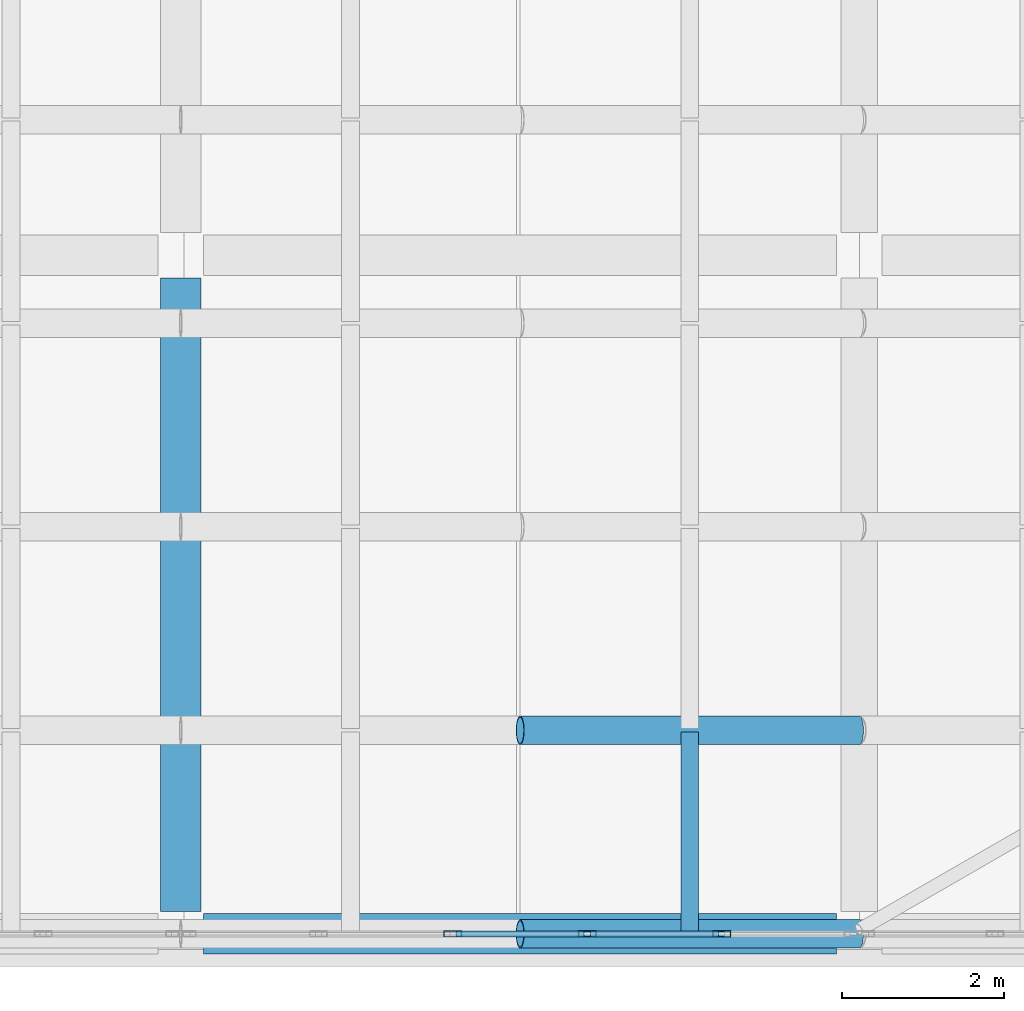
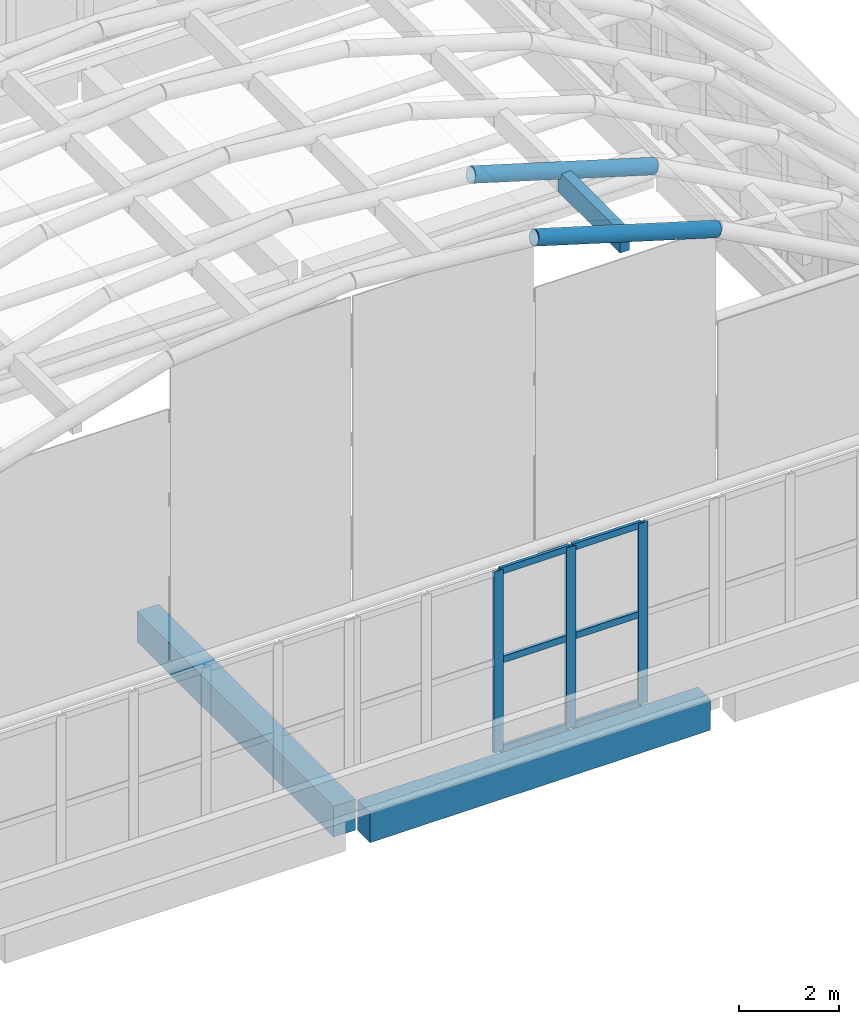
# One storey, part 9 of 26: 10 members, 4 beams, 1 element without a shape of its own.
"""IFC4 building model written with IfcOpenShell, lengths in metres."""

import ifcopenshell
import ifcopenshell.guid

model = None  # the IFC model being written
_history = None  # IfcOwnerHistory: only IFC2X3 demands one
_inside = {}  # id of a spatial element -> (the spatial element, [elements in it])
_under = {}  # id of a project, library or spatial element -> (it, [spatial elements below it])
_declared = {}  # id of a project -> (the project, [libraries it declares])
_typed = {}  # id of a type object -> (the type object, [elements of that type])
_made_of = {}  # id of a material, layer set ... -> (it, [elements and type objects made of it])


def new_model(schema):
    """Start an empty IFC model of exactly this schema.

    Asked for "IFC4X3", IfcOpenShell would pick the latest addendum, in which some entities
    have other attributes; the version numbers below select the first issue.
    IFC2X3 requires an IfcOwnerHistory on every rooted entity: one is made here for all.
    """
    global model, _history
    if schema == "IFC4X3":
        model = ifcopenshell.file(schema_version=(4, 3, 0, 0))
    else:
        model = ifcopenshell.file(schema=schema)
    _inside.clear()
    _under.clear()
    _declared.clear()
    _typed.clear()
    _made_of.clear()
    _history = None
    if model.schema == "IFC2X3":
        org = make("IfcOrganization", Name="unknown")
        user = make(
            "IfcPersonAndOrganization",
            ThePerson=make("IfcPerson", FamilyName="unknown"),
            TheOrganization=org,
        )
        app = make(
            "IfcApplication",
            ApplicationDeveloper=org,
            Version="unknown",
            ApplicationFullName="unknown",
            ApplicationIdentifier="unknown",
        )
        _history = make(
            "IfcOwnerHistory",
            OwningUser=user,
            OwningApplication=app,
            ChangeAction="ADDED",
            CreationDate=0,
        )
    return model


def make(cls, **values):
    """One entity of the class cls with the attributes given. An attribute that is None is left unset."""
    return model.create_entity(
        cls, **{name: value for name, value in values.items() if value is not None}
    )


def rooted(cls, **values):
    """An entity with a GlobalId (a new one), such as an element, a storey or a relation."""
    return make(cls, GlobalId=ifcopenshell.guid.new(), OwnerHistory=_history, **values)


def si_unit(unit_type, name, prefix=None):
    """IfcSIUnit, for example si_unit("LENGTHUNIT", "METRE", prefix="MILLI")."""
    return make("IfcSIUnit", UnitType=unit_type, Prefix=prefix, Name=name)


def assignment(units):
    """IfcUnitAssignment: the units of a project."""
    return None if units is None else make("IfcUnitAssignment", Units=units)


def point(xyz):
    """IfcCartesianPoint."""
    return None if xyz is None else make("IfcCartesianPoint", Coordinates=xyz)


def direction(xyz):
    """IfcDirection."""
    return None if xyz is None else make("IfcDirection", DirectionRatios=xyz)


def frame(location, z_axis=None, x_axis=None):
    """IfcAxis2Placement3D, a coordinate frame: its origin and axes. An axis left out is left unset."""
    return make(
        "IfcAxis2Placement3D",
        Location=point(location),
        Axis=direction(z_axis),
        RefDirection=direction(x_axis),
    )


def frame_2d(location, x_axis=None):
    """IfcAxis2Placement2D, a coordinate frame in the plane: its origin and x axis."""
    return make(
        "IfcAxis2Placement2D", Location=point(location), RefDirection=direction(x_axis)
    )


def origin():
    """The frame at (0, 0, 0) with its axes left unset."""
    return frame((0.0, 0.0, 0.0))


def origin_2d():
    """The frame at (0, 0) in the plane with its x axis left unset."""
    return frame_2d((0.0, 0.0))


def place(relative_to, where):
    """IfcLocalPlacement: puts the frame where relative to a parent placement (None: the world)."""
    return make(
        "IfcLocalPlacement", PlacementRelTo=relative_to, RelativePlacement=where
    )


def context(
    kind, dimensions, precision=None, world=None, true_north=None, identifier=None
):
    """IfcGeometricRepresentationContext, for example the 3D "Model" context."""
    return make(
        "IfcGeometricRepresentationContext",
        ContextIdentifier=identifier,
        ContextType=kind,
        CoordinateSpaceDimension=dimensions,
        Precision=precision,
        WorldCoordinateSystem=world,
        TrueNorth=true_north,
    )


def subcontext(parent, identifier, kind, view, scale=None):
    """IfcGeometricRepresentationSubContext, for example "Body" below "Model"."""
    return make(
        "IfcGeometricRepresentationSubContext",
        ContextIdentifier=identifier,
        ContextType=kind,
        ParentContext=parent,
        TargetScale=scale,
        TargetView=view,
    )


def project(units=None, contexts=None):
    """IfcProject with its units and contexts."""
    return rooted(
        "IfcProject",
        Name="project",
        RepresentationContexts=contexts,
        UnitsInContext=assignment(units),
    )


def spatial(cls, under=None, at=None, **own):
    """A site, building, storey or space (cls), placed at a placement, below another one or the project."""
    s = rooted(cls, ObjectPlacement=at, **own)
    if under is not None:
        _under.setdefault(under.id(), (under, []))[1].append(s)
    return s


def profile(cls, at=None, kind="AREA", **sizes):
    """A parametric profile (cls). Its sizes go by their IFC names, for example OverallWidth=200.0."""
    return make(cls, ProfileType=kind, Position=at, **sizes)


def rectangle(**sizes):
    """IfcRectangleProfileDef."""
    return profile("IfcRectangleProfileDef", **sizes)


def hollow_rectangle(**sizes):
    """IfcRectangleHollowProfileDef."""
    return profile("IfcRectangleHollowProfileDef", **sizes)


def hollow_circle(**sizes):
    """IfcCircleHollowProfileDef."""
    return profile("IfcCircleHollowProfileDef", **sizes)


def extrude(swept, where, along, depth):
    """IfcExtrudedAreaSolid: the profile swept, set in the frame where, extruded along a direction by depth."""
    return make(
        "IfcExtrudedAreaSolid",
        SweptArea=swept,
        Position=where,
        ExtrudedDirection=direction(along),
        Depth=depth,
    )


def shape(context_of_items, identifier, shape_type, items):
    """IfcShapeRepresentation: the items that make up one representation, for example the "Body"."""
    return make(
        "IfcShapeRepresentation",
        ContextOfItems=context_of_items,
        RepresentationIdentifier=identifier,
        RepresentationType=shape_type,
        Items=items,
    )


def material(Name=None, Category=None):
    """IfcMaterial."""
    return make("IfcMaterial", Name=Name, Category=Category)


def layer(
    of_material, thickness, ventilated=None, Name=None, Category=None, Priority=None
):
    """IfcMaterialLayer: one layer of a wall or slab, of a material (None: an air gap)."""
    return make(
        "IfcMaterialLayer",
        Material=of_material,
        LayerThickness=thickness,
        IsVentilated=ventilated,
        Name=Name,
        Category=Category,
        Priority=Priority,
    )


def layer_set(layers, Name=None):
    """IfcMaterialLayerSet."""
    return make("IfcMaterialLayerSet", MaterialLayers=layers, LayerSetName=Name)


def material_profile(
    of_material, cross_section, Name=None, Category=None, Priority=None
):
    """IfcMaterialProfile: a cross section and its material."""
    return make(
        "IfcMaterialProfile",
        Name=Name,
        Material=of_material,
        Profile=cross_section,
        Priority=Priority,
        Category=Category,
    )


def profile_set(profiles, Name=None, composite=None):
    """IfcMaterialProfileSet."""
    return make(
        "IfcMaterialProfileSet",
        Name=Name,
        MaterialProfiles=profiles,
        CompositeProfile=composite,
    )


def made_of(thing, what):
    """Note that an element or type object is made of a material, layer set ...; save() writes the relation."""
    if what is not None:
        _made_of.setdefault(what.id(), (what, []))[1].append(thing)
    return thing


def type_object(cls, material=None, **own):
    """A type object (cls), such as IfcWallType, which elements share."""
    return made_of(rooted(cls, **own), material)


def element(
    cls,
    number,
    at=None,
    inside=None,
    cuts=None,
    type_object=None,
    material=None,
    context=None,
    identifier="Body",
    shape_type=None,
    held_by="IfcProductDefinitionShape",
    body=None,
    shapes=None,
    **own,
):
    """One element of the class cls, such as IfcWall. Its Tag is "e" and its number.

    at: its placement. inside: the storey or other place that contains it. cuts: it is an
    opening in that element (IfcRelVoidsElement). A single representation is given by context,
    identifier, shape_type and body (its items); several are given by shapes. held_by: the class
    of the entity that holds the representations. save() writes the other relations.
    """
    e = rooted(cls, Tag="e%d" % number, ObjectPlacement=at, **own)
    if body is not None:
        shapes = [shape(context, identifier, shape_type, body)]
    if shapes is not None:
        e.Representation = make(held_by, Representations=shapes)
    if inside is not None:
        _inside.setdefault(inside.id(), (inside, []))[1].append(e)
    if cuts is not None:
        rooted(
            "IfcRelVoidsElement", RelatingBuildingElement=cuts, RelatedOpeningElement=e
        )
    if type_object is not None:
        _typed.setdefault(type_object.id(), (type_object, []))[1].append(e)
    return made_of(e, material)


def aggregate(whole, parts):
    """IfcRelAggregates: a whole, such as a stair, and the parts it consists of."""
    return rooted("IfcRelAggregates", RelatingObject=whole, RelatedObjects=parts)


def save(model, path):
    """Write the relations noted so far, then the file.

    IfcRelAggregates (storeys below a building ...), IfcRelContainedInSpatialStructure (elements
    in a storey), IfcRelDefinesByType, IfcRelAssociatesMaterial and IfcRelDeclares: one each for
    every whole, place, type object, material and project.
    """
    for whole, parts in _under.values():
        aggregate(whole, parts)
    for where, things in _inside.values():
        rooted(
            "IfcRelContainedInSpatialStructure",
            RelatedElements=things,
            RelatingStructure=where,
        )
    for kind, things in _typed.values():
        rooted("IfcRelDefinesByType", RelatedObjects=things, RelatingType=kind)
    for what, things in _made_of.values():
        rooted("IfcRelAssociatesMaterial", RelatedObjects=things, RelatingMaterial=what)
    for by, libraries in _declared.values():
        rooted("IfcRelDeclares", RelatingContext=by, RelatedDefinitions=libraries)
    model.write(path)


model = new_model("IFC4")

# Units and contexts
model_context = context("Model", 3, precision=1e-05, world=origin(), true_north=direction((0.0, 1.0)))
body_context = subcontext(model_context, "Body", "Model", "MODEL_VIEW")
ifc_project = project(units=[si_unit("LENGTHUNIT", "METRE"), si_unit("AREAUNIT", "SQUARE_METRE"), si_unit("VOLUMEUNIT", "CUBIC_METRE"), si_unit("PLANEANGLEUNIT", "RADIAN"), si_unit("MASSUNIT", "GRAM", prefix="KILO")], contexts=[model_context])

# Site, building, storey
site_placement = place(None, origin())
site = spatial("IfcSite", under=ifc_project, at=site_placement, CompositionType="ELEMENT")
building_placement = place(site_placement, origin())
building = spatial("IfcBuilding", under=site, at=building_placement, Name="Xazarin Passage Department Store", CompositionType="ELEMENT")
storey_placement = place(building_placement, frame((0.0, 0.0, 36.89990234375)))
storey = spatial("IfcBuildingStorey", under=building, at=storey_placement, Name="RF", CompositionType="ELEMENT", Elevation=36.89990234375)

# Curtain wall, members
ifc_material_1 = material(Name="Bronze anodised aluminium", Category="aluminium")
ifc_layer = layer(ifc_material_1, 0.199951171875)
ifc_layer_set = layer_set([ifc_layer], Name="Bronze anodised aluminium")
curtain_wall_type = type_object("IfcCurtainWallType", Name="ARC-CW-VIT2", PredefinedType="NOTDEFINED", material=ifc_layer_set)
curtain_wall_placement = place(storey_placement, origin())
curtain_wall = element("IfcCurtainWall", 1, at=curtain_wall_placement, inside=storey, type_object=curtain_wall_type, Name="RF V1 Atrium Lantern Curtain Wall 11", PredefinedType="NOTDEFINED")
ifc_material_profile_1 = material_profile(ifc_material_1, hollow_rectangle(XDim=0.074951171875, YDim=0.219970703125, WallThickness=0.0048828125, at=origin_2d()), Name="ALU 75x220")
ifc_profile_set_1 = profile_set([ifc_material_profile_1], Name="Bronze anodised aluminium")
member_type_1 = type_object("IfcMemberType", Name="ARC-CWM-75x220", PredefinedType="MULLION", material=ifc_profile_set_1)
member_1_placement = place(storey_placement, frame((20.16796875, 76.39990234375, 0.0), z_axis=(0.0, 0.0, 1.0), x_axis=(0.0, 1.0, 0.0)))
member_1 = element("IfcMember", 2, at=member_1_placement, type_object=member_type_1, Name="CW2 mullion 3", PredefinedType="MULLION", context=body_context, shape_type="SweptSolid", body=[
    extrude(hollow_rectangle(XDim=0.074951171875, YDim=0.219970703125, WallThickness=0.0048828125, at=origin_2d()), origin(), (0.0, 0.0, 1.0), 4.404296875),
])
member_2_placement = place(storey_placement, frame((21.83203125, 76.39990234375, 0.0), z_axis=(0.0, 0.0, 1.0), x_axis=(0.0, 1.0, 0.0)))
member_2 = element("IfcMember", 3, at=member_2_placement, type_object=member_type_1, Name="CW2 mullion 4", PredefinedType="MULLION", context=body_context, shape_type="SweptSolid", body=[
    extrude(hollow_rectangle(XDim=0.074951171875, YDim=0.219970703125, WallThickness=0.0048828125, at=origin_2d()), origin(), (0.0, 0.0, 1.0), 4.404296875),
])
member_3_placement = place(storey_placement, frame((23.49609375, 76.39990234375, 0.0), z_axis=(0.0, 0.0, 1.0), x_axis=(0.0, 1.0, 0.0)))
member_3 = element("IfcMember", 4, at=member_3_placement, type_object=member_type_1, Name="CW2 mullion 5", PredefinedType="MULLION", context=body_context, shape_type="SweptSolid", body=[
    extrude(hollow_rectangle(XDim=0.074951171875, YDim=0.219970703125, WallThickness=0.0048828125, at=origin_2d()), origin(), (0.0, 0.0, 1.0), 4.404296875),
])
ifc_material_profile_2 = material_profile(ifc_material_1, hollow_rectangle(XDim=0.074951171875, YDim=0.159912109375, WallThickness=0.00439453125, at=origin_2d()), Name="ALU 75x160")
ifc_profile_set_2 = profile_set([ifc_material_profile_2], Name="Bronze anodised aluminium")
member_type_2 = type_object("IfcMemberType", Name="ARC-CWT-75x160", PredefinedType="USERDEFINED", material=ifc_profile_set_2)
member_4_placement = place(storey_placement, frame((20.20556640625, 76.39990234375, 0.03759765625), z_axis=(1.0, 0.0, 0.0), x_axis=(0.0, 1.0, 0.0)))
member_4 = element("IfcMember", 5, at=member_4_placement, type_object=member_type_2, Name="CW2 transom 3.1", ObjectType="TRANSOM", PredefinedType="USERDEFINED", context=body_context, shape_type="SweptSolid", body=[
    extrude(hollow_rectangle(XDim=0.074951171875, YDim=0.159912109375, WallThickness=0.00439453125, at=origin_2d()), origin(), (0.0, 0.0, 1.0), 1.5888671875),
])
member_5_placement = place(storey_placement, frame((20.20556640625, 76.39990234375, 2.2021484375), z_axis=(1.0, 0.0, 0.0), x_axis=(0.0, 1.0, 0.0)))
member_5 = element("IfcMember", 6, at=member_5_placement, type_object=member_type_2, Name="CW2 transom 3.2", ObjectType="TRANSOM", PredefinedType="USERDEFINED", context=body_context, shape_type="SweptSolid", body=[
    extrude(hollow_rectangle(XDim=0.074951171875, YDim=0.159912109375, WallThickness=0.00439453125, at=origin_2d()), origin(), (0.0, 0.0, 1.0), 1.5888671875),
])
member_6_placement = place(storey_placement, frame((20.20556640625, 76.39990234375, 4.36669921875), z_axis=(1.0, 0.0, 0.0), x_axis=(0.0, 1.0, 0.0)))
member_6 = element("IfcMember", 7, at=member_6_placement, type_object=member_type_2, Name="CW2 transom 3.3", ObjectType="TRANSOM", PredefinedType="USERDEFINED", context=body_context, shape_type="SweptSolid", body=[
    extrude(hollow_rectangle(XDim=0.074951171875, YDim=0.159912109375, WallThickness=0.00439453125, at=origin_2d()), origin(), (0.0, 0.0, 1.0), 1.5888671875),
])
member_7_placement = place(storey_placement, frame((21.869384765625, 76.39990234375, 0.03759765625), z_axis=(1.0, 0.0, 0.0), x_axis=(0.0, 1.0, 0.0)))
member_7 = element("IfcMember", 8, at=member_7_placement, type_object=member_type_2, Name="CW2 transom 4.1", ObjectType="TRANSOM", PredefinedType="USERDEFINED", context=body_context, shape_type="SweptSolid", body=[
    extrude(hollow_rectangle(XDim=0.074951171875, YDim=0.159912109375, WallThickness=0.00439453125, at=origin_2d()), origin(), (0.0, 0.0, 1.0), 1.589111328125),
])
member_8_placement = place(storey_placement, frame((21.869384765625, 76.39990234375, 2.2021484375), z_axis=(1.0, 0.0, 0.0), x_axis=(0.0, 1.0, 0.0)))
member_8 = element("IfcMember", 9, at=member_8_placement, type_object=member_type_2, Name="CW2 transom 4.2", ObjectType="TRANSOM", PredefinedType="USERDEFINED", context=body_context, shape_type="SweptSolid", body=[
    extrude(hollow_rectangle(XDim=0.074951171875, YDim=0.159912109375, WallThickness=0.00439453125, at=origin_2d()), origin(), (0.0, 0.0, 1.0), 1.589111328125),
])
member_9_placement = place(storey_placement, frame((21.869384765625, 76.39990234375, 4.36669921875), z_axis=(1.0, 0.0, 0.0), x_axis=(0.0, 1.0, 0.0)))
member_9 = element("IfcMember", 10, at=member_9_placement, type_object=member_type_2, Name="CW2 transom 4.3", ObjectType="TRANSOM", PredefinedType="USERDEFINED", context=body_context, shape_type="SweptSolid", body=[
    extrude(hollow_rectangle(XDim=0.074951171875, YDim=0.159912109375, WallThickness=0.00439453125, at=origin_2d()), origin(), (0.0, 0.0, 1.0), 1.589111328125),
])
aggregate(curtain_wall, [member_1, member_2, member_3, member_4, member_5, member_6, member_7, member_8, member_9])

# Beams
ifc_material_2 = material(Name="Steel S355", Category="steel")
ifc_material_profile_3 = material_profile(ifc_material_2, hollow_circle(Radius=0.177734375, WallThickness=0.01611328125, at=origin_2d()), Name="CHS 355.6x16")
ifc_profile_set_3 = profile_set([ifc_material_profile_3], Name="Steel S355")
beam_type_1 = type_object("IfcBeamType", Name="STR-BM-AR355", PredefinedType="BEAM", material=ifc_profile_set_3)
for number, where, z_axis, x_axis, name in (
    (11, (21.0, 76.39990234375, 12.1953125), (0.957702086096, 0.0, -0.287761558044), (0.0, 1.0, 0.0), "V1V Primary Arch Rib 1.6"),
    (12, (21.0, 78.919921875, 12.1953125), (0.957702086096, 0.0, -0.287761558044), (0.0, 1.0, 0.0), "V1V Primary Arch Rib 2.6"),
):
    element("IfcBeam", number, at=place(storey_placement, frame(where, z_axis=z_axis, x_axis=x_axis)), inside=storey, type_object=beam_type_1, Name=name, PredefinedType="BEAM", context=body_context, shape_type="SweptSolid", body=[
        extrude(hollow_circle(Radius=0.177734375, WallThickness=0.01611328125, at=origin_2d()), origin(), (0.0, 0.0, 1.0), 4.385498046875),
    ])
ifc_material_3 = material(Name="Concrete C35/45", Category="concrete")
ifc_material_profile_4 = material_profile(ifc_material_3, rectangle(XDim=0.5, YDim=0.75, at=origin_2d()), Name="RC 500x750")
ifc_profile_set_4 = profile_set([ifc_material_profile_4], Name="Concrete C35/45")
beam_type_2 = type_object("IfcBeamType", Name="STR-BM-SP500x750", PredefinedType="SPANDREL", material=ifc_profile_set_4)
beam_1_placement = place(storey_placement, frame((17.080078125, 76.39990234375, -0.635009765625), z_axis=(1.0, 0.0, 0.0), x_axis=(0.0, 1.0, 0.0)))
element("IfcBeam", 13, at=beam_1_placement, inside=storey, type_object=beam_type_2, Name="RF Grid Beam L/3-4", PredefinedType="SPANDREL", context=body_context, shape_type="SweptSolid", body=[
    extrude(rectangle(XDim=0.5, YDim=0.75, at=origin_2d()), origin(), (0.0, 0.0, 1.0), 7.83984375),
])
beam_2_placement = place(storey_placement, frame((16.800048828125, 76.679931640625, -0.635009765625), z_axis=(0.0, 1.0, 0.0), x_axis=(-1.0, 0.0, 0.0)))
element("IfcBeam", 14, at=beam_2_placement, inside=storey, type_object=beam_type_2, Name="RF Grid Beam 3/L-M", PredefinedType="SPANDREL", context=body_context, shape_type="SweptSolid", body=[
    extrude(rectangle(XDim=0.5, YDim=0.75, at=origin_2d()), origin(), (0.0, 0.0, 1.0), 7.840087890625),
])

# Member
ifc_material_4 = material(Name="Glulam GL28h", Category="wood")
ifc_material_profile_5 = material_profile(ifc_material_4, rectangle(XDim=0.219970703125, YDim=0.52001953125, at=origin_2d()), Name="GL28h 220x520")
ifc_profile_set_5 = profile_set([ifc_material_profile_5], Name="Glulam GL28h")
member_type_3 = type_object("IfcMemberType", Name="STR-MEM-GL520", PredefinedType="PURLIN", material=ifc_profile_set_5)
member_10_placement = place(storey_placement, frame((23.10009765625, 76.419921875, 11.3623046875), z_axis=(0.0, 1.0, 0.0), x_axis=(-1.0, 0.0, 0.0)))
element("IfcMember", 15, at=member_10_placement, inside=storey, type_object=member_type_3, Name="V1V Glulam Gridshell Purlin 1.6", PredefinedType="PURLIN", context=body_context, shape_type="SweptSolid", body=[
    extrude(rectangle(XDim=0.219970703125, YDim=0.52001953125, at=origin_2d()), origin(), (0.0, 0.0, 1.0), 2.47998046875),
])

save(model, "model.ifc")
